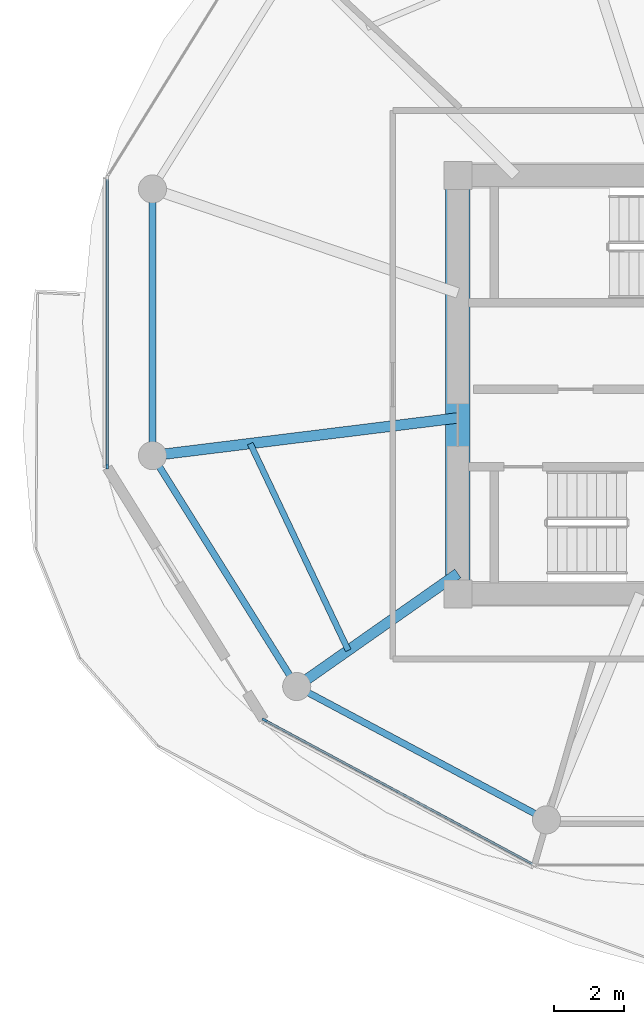
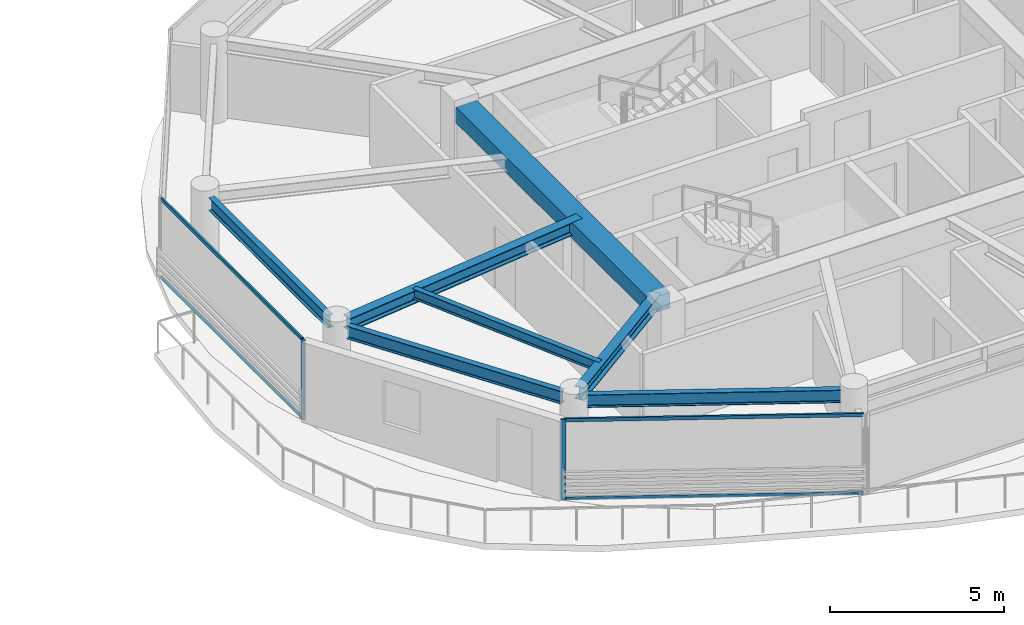
# One storey, part 6 of 21: 7 beams, 6 members, 2 elements without a shape of their own.
"""IFC4 building model written with IfcOpenShell, lengths in metres."""

from ifc_helpers import new_model, si_unit, direction, frame, origin, origin_2d, place, context, subcontext, project, spatial, rectangle, i_section, extrude, source, transform, mapped, material, layer, layer_set, material_profile, profile_set, type_object, type_shapes, element, aggregate, save


model = new_model("IFC4")

# Units and contexts
model_context = context("Model", 3, precision=1e-05, world=origin(), true_north=direction((0.0, 1.0)))
body_context = subcontext(model_context, "Body", "Model", "MODEL_VIEW")
ifc_project = project(units=[si_unit("LENGTHUNIT", "METRE"), si_unit("AREAUNIT", "SQUARE_METRE"), si_unit("VOLUMEUNIT", "CUBIC_METRE"), si_unit("PLANEANGLEUNIT", "RADIAN"), si_unit("MASSUNIT", "GRAM", prefix="KILO")], contexts=[model_context])

# Site, building, storey
site_placement = place(None, origin())
site = spatial("IfcSite", under=ifc_project, at=site_placement, CompositionType="ELEMENT")
building_placement = place(site_placement, origin())
building = spatial("IfcBuilding", under=site, at=building_placement, Name="Norrkilde Senior Care Towers", CompositionType="ELEMENT")
storey_placement = place(building_placement, frame((0.0, 0.0, 146.5)))
storey = spatial("IfcBuildingStorey", under=building, at=storey_placement, Name="L45", CompositionType="ELEMENT", Elevation=146.5)

# Beams
ifc_material_1 = material(Name="Concrete C60/75", Category="concrete")
ifc_material_profile_1 = material_profile(ifc_material_1, rectangle(XDim=0.699951171875, YDim=0.550048828125, at=origin_2d()), Name="RC BM 700x550")
ifc_profile_set_1 = profile_set([ifc_material_profile_1], Name="Concrete C60/75")
beam_type_1 = type_object("IfcBeamType", Name="Core Portal Coupling Beam 700x550", PredefinedType="USERDEFINED", material=ifc_profile_set_1)
shared_shape_1 = source(origin(), body_context, "Body", "SweptSolid", [
    extrude(rectangle(XDim=0.699951171875, YDim=0.550048828125, at=origin_2d()), origin(), (0.0, 0.0, 1.0), 11.14013671875),
])
type_shapes(beam_type_1, [shared_shape_1])
beam_1_placement = place(storey_placement, frame((20.35009765625, -5.570068359375, 2.534912109375), z_axis=(0.0, 1.0, 0.0), x_axis=(-1.0, 0.0, 0.0)))
element("IfcBeam", 1, at=beam_1_placement, inside=storey, type_object=beam_type_1, Name="L45 Core E W Coupling Girder", ObjectType="GIRDER", PredefinedType="USERDEFINED", context=body_context, shape_type="MappedRepresentation", body=[
    mapped(shared_shape_1, transform((0.0, 0.0, 0.0), x_axis=(1.0, 0.0, 0.0), y_axis=(0.0, 1.0, 0.0), z_axis=(0.0, 0.0, 1.0), scale=1.0)),
])
ifc_material_2 = material(Name="Steel S355", Category="steel")
ifc_material_profile_2 = material_profile(ifc_material_2, i_section(OverallWidth=0.18994140625, OverallDepth=0.449951171875, WebThickness=0.009521484375, FlangeThickness=0.0146484375, FilletRadius=0.02099609375, at=origin_2d()), Name="IPE 450")
ifc_profile_set_2 = profile_set([ifc_material_profile_2], Name="Steel S355")
beam_type_2 = type_object("IfcBeamType", Name="Perimeter Ring Spandrel Z3 IPE450", PredefinedType="SPANDREL", material=ifc_profile_set_2)
shared_shape_2 = source(origin(), body_context, "Body", "SweptSolid", [
    extrude(i_section(OverallWidth=0.18994140625, OverallDepth=0.449951171875, WebThickness=0.009521484375, FlangeThickness=0.0146484375, FilletRadius=0.02099609375, at=origin_2d()), origin(), (0.0, 0.0, 1.0), 6.86328125),
])
beam_2_placement = place(storey_placement, frame((11.6650390625, 5.20703125, 2.5849609375), z_axis=(0.0, -1.0, 0.0), x_axis=(1.0, 0.0, 0.0)))
element("IfcBeam", 2, at=beam_2_placement, inside=storey, type_object=beam_type_2, Name="L45 Drum E Perimeter Spandrel 06", PredefinedType="SPANDREL", context=body_context, shape_type="MappedRepresentation", body=[
    mapped(shared_shape_2, transform((0.0, 0.0, 0.0), x_axis=(1.0, 0.0, 0.0), y_axis=(0.0, 1.0, 0.0), z_axis=(0.0, 0.0, 1.0), scale=1.0)),
])
shared_shape_3 = source(origin(), body_context, "Body", "SweptSolid", [
    extrude(i_section(OverallWidth=0.18994140625, OverallDepth=0.449951171875, WebThickness=0.009521484375, FlangeThickness=0.0146484375, FilletRadius=0.02099609375, at=origin_2d()), origin(), (0.0, 0.0, 1.0), 7.023193359375),
])
beam_3_placement = place(storey_placement, frame((11.855712890625, -2.32177734375, 2.5849609375), z_axis=(0.529805197269, -0.848119362441, 0.0), x_axis=(0.848119362441, 0.529805197269, 0.0)))
element("IfcBeam", 3, at=beam_3_placement, inside=storey, type_object=beam_type_2, Name="L45 Drum E Perimeter Spandrel 07", PredefinedType="SPANDREL", context=body_context, shape_type="MappedRepresentation", body=[
    mapped(shared_shape_3, transform((0.0, 0.0, 0.0), x_axis=(1.0, 0.0, 0.0), y_axis=(0.0, 1.0, 0.0), z_axis=(0.0, 0.0, 1.0), scale=1.0)),
])
shared_shape_4 = source(origin(), body_context, "Body", "SweptSolid", [
    extrude(i_section(OverallWidth=0.18994140625, OverallDepth=0.449951171875, WebThickness=0.009521484375, FlangeThickness=0.0146484375, FilletRadius=0.02099609375, at=origin_2d()), origin(), (0.0, 0.0, 1.0), 7.333984375),
])
type_shapes(beam_type_2, [shared_shape_2, shared_shape_3, shared_shape_4])
beam_4_placement = place(storey_placement, frame((16.0849609375, -8.753173828125, 2.5849609375), z_axis=(0.882234038987, -0.470811109101, 0.0), x_axis=(0.470811109101, 0.882234038987, 0.0)))
element("IfcBeam", 4, at=beam_4_placement, inside=storey, type_object=beam_type_2, Name="L45 Drum E Perimeter Spandrel 08", PredefinedType="SPANDREL", context=body_context, shape_type="MappedRepresentation", body=[
    mapped(shared_shape_4, transform((0.0, 0.0, 0.0), x_axis=(1.0, 0.0, 0.0), y_axis=(0.0, 1.0, 0.0), z_axis=(0.0, 0.0, 1.0), scale=1.0)),
])
ifc_material_profile_3 = material_profile(ifc_material_2, i_section(OverallWidth=0.300048828125, OverallDepth=0.449951171875, WebThickness=0.013916015625, FlangeThickness=0.02587890625, FilletRadius=0.027099609375, at=origin_2d()), Name="HEB 450")
ifc_profile_set_3 = profile_set([ifc_material_profile_3], Name="Steel S355")
beam_type_3 = type_object("IfcBeamType", Name="Radial Floor Beam Z3 HEB450", PredefinedType="BEAM", material=ifc_profile_set_3)
shared_shape_5 = source(origin(), body_context, "Body", "SweptSolid", [
    extrude(i_section(OverallWidth=0.300048828125, OverallDepth=0.449951171875, WebThickness=0.013916015625, FlangeThickness=0.02587890625, FilletRadius=0.027099609375, at=origin_2d()), origin(), (0.0, 0.0, 1.0), 5.23828125),
])
beam_5_placement = place(storey_placement, frame((20.35009765625, -5.3681640625, 2.5849609375), z_axis=(-0.818592061291, -0.574375345215, 0.0), x_axis=(0.574375345215, -0.818592061291, 0.0)))
element("IfcBeam", 5, at=beam_5_placement, inside=storey, type_object=beam_type_3, Name="L45 Drum E Radial Floor Beam 08", PredefinedType="BEAM", context=body_context, shape_type="MappedRepresentation", body=[
    mapped(shared_shape_5, transform((0.0, 0.0, 0.0), x_axis=(1.0, 0.0, 0.0), y_axis=(0.0, 1.0, 0.0), z_axis=(0.0, 0.0, 1.0), scale=1.0)),
])
shared_shape_6 = source(origin(), body_context, "Body", "SweptSolid", [
    extrude(i_section(OverallWidth=0.300048828125, OverallDepth=0.449951171875, WebThickness=0.013916015625, FlangeThickness=0.02587890625, FilletRadius=0.027099609375, at=origin_2d()), origin(), (0.0, 0.0, 1.0), 8.390869140625),
])
type_shapes(beam_type_3, [shared_shape_5, shared_shape_6])
beam_6_placement = place(storey_placement, frame((20.35009765625, -0.9443359375, 2.5849609375), z_axis=(-0.99246916403, -0.122494728249, 0.0), x_axis=(0.122494728249, -0.99246916403, 0.0)))
element("IfcBeam", 6, at=beam_6_placement, inside=storey, type_object=beam_type_3, Name="L45 Drum E Radial Floor Beam 07", PredefinedType="BEAM", context=body_context, shape_type="MappedRepresentation", body=[
    mapped(shared_shape_6, transform((0.0, 0.0, 0.0), x_axis=(1.0, 0.0, 0.0), y_axis=(0.0, 1.0, 0.0), z_axis=(0.0, 0.0, 1.0), scale=1.0)),
])
ifc_material_profile_4 = material_profile(ifc_material_2, i_section(OverallWidth=0.169921875, OverallDepth=0.360107421875, WebThickness=0.008056640625, FlangeThickness=0.0126953125, FilletRadius=0.01806640625, at=origin_2d()), Name="IPE 360")
ifc_profile_set_4 = profile_set([ifc_material_profile_4], Name="Steel S355")
beam_type_4 = type_object("IfcBeamType", Name="Secondary Floor Joist IPE360", PredefinedType="JOIST", material=ifc_profile_set_4)
shared_shape_7 = source(origin(), body_context, "Body", "SweptSolid", [
    extrude(i_section(OverallWidth=0.169921875, OverallDepth=0.360107421875, WebThickness=0.008056640625, FlangeThickness=0.0126953125, FilletRadius=0.01806640625, at=origin_2d()), origin(), (0.0, 0.0, 1.0), 6.50927734375),
])
type_shapes(beam_type_4, [shared_shape_7])
beam_7_placement = place(storey_placement, frame((14.4443359375, -1.67333984375, 2.6298828125), z_axis=(0.428544169129, -0.90352083269, 0.0), x_axis=(0.90352083269, 0.428544169129, 0.0)))
element("IfcBeam", 7, at=beam_7_placement, inside=storey, type_object=beam_type_4, Name="L45 Drum E Secondary Floor Joist 3", PredefinedType="JOIST", context=body_context, shape_type="MappedRepresentation", body=[
    mapped(shared_shape_7, transform((0.0, 0.0, 0.0), x_axis=(1.0, 0.0, 0.0), y_axis=(0.0, 1.0, 0.0), z_axis=(0.0, 0.0, 1.0), scale=1.0)),
])

# Curtain wall, member
ifc_material_3 = material(Name="Triple Low-E Insulated Glazing", Category="glass")
ifc_layer = layer(ifc_material_3, 0.18994140625)
ifc_layer_set = layer_set([ifc_layer], Name="Triple Low-E Insulated Glazing")
curtain_wall_type = type_object("IfcCurtainWallType", Name="CW4 Zone 3 Senior Residence Curtain Wall", PredefinedType="NOTDEFINED", material=ifc_layer_set)
curtain_wall_1_placement = place(storey_placement, origin())
curtain_wall_1 = element("IfcCurtainWall", 8, at=curtain_wall_1_placement, inside=storey, type_object=curtain_wall_type, Name="L45 Drum E Curtain Wall 05", PredefinedType="NOTDEFINED")
ifc_material_4 = material(Name="Anodised Aluminium", Category="aluminium")
ifc_material_profile_5 = material_profile(ifc_material_4, rectangle(XDim=0.06494140625, YDim=0.14990234375, at=origin_2d()), Name="ALU MULL 65x150")
ifc_profile_set_5 = profile_set([ifc_material_profile_5], Name="Anodised Aluminium")
member_type_1 = type_object("IfcMemberType", Name="Curtain Wall Mullion Z3-Z4 65x150", PredefinedType="MULLION", material=ifc_profile_set_5)
shared_shape_8 = source(origin(), body_context, "Body", "SweptSolid", [
    extrude(rectangle(XDim=0.06494140625, YDim=0.14990234375, at=origin_2d()), origin(), (0.0, 0.0, 1.0), 2.81005859375),
])
type_shapes(member_type_1, [shared_shape_8])
member_1_placement = place(storey_placement, frame((10.38037109375, -2.328125, 0.0), z_axis=(0.0, 0.0, 1.0), x_axis=(-1.0, 0.0, 0.0)))
member_1 = element("IfcMember", 9, at=member_1_placement, type_object=member_type_1, Name="CW-4 mullion 1", PredefinedType="MULLION", context=body_context, shape_type="MappedRepresentation", body=[
    mapped(shared_shape_8, transform((0.0, 0.0, 0.0), x_axis=(1.0, 0.0, 0.0), y_axis=(0.0, 1.0, 0.0), z_axis=(0.0, 0.0, 1.0), scale=1.0)),
])

# Curtain wall, members
curtain_wall_2_placement = place(storey_placement, origin())
curtain_wall_2 = element("IfcCurtainWall", 10, at=curtain_wall_2_placement, inside=storey, type_object=curtain_wall_type, Name="L45 Drum E Curtain Wall 07", PredefinedType="NOTDEFINED")
member_2_placement = place(storey_placement, frame((14.85546875, -9.53955078125, 0.0), z_axis=(0.0, 0.0, 1.0), x_axis=(-0.47311715104, -0.880999524059, 0.0)))
member_2 = element("IfcMember", 11, at=member_2_placement, type_object=member_type_1, Name="CW-4 mullion 2", PredefinedType="MULLION", context=body_context, shape_type="MappedRepresentation", body=[
    mapped(shared_shape_8, transform((0.0, 0.0, 0.0), x_axis=(1.0, 0.0, 0.0), y_axis=(0.0, 1.0, 0.0), z_axis=(0.0, 0.0, 1.0), scale=1.0)),
])
ifc_material_profile_6 = material_profile(ifc_material_4, rectangle(XDim=0.06005859375, YDim=0.1201171875, at=origin_2d()), Name="ALU TRAN 60x120")
ifc_profile_set_6 = profile_set([ifc_material_profile_6], Name="Anodised Aluminium")
member_type_2 = type_object("IfcMemberType", Name="Curtain Wall Transom Typical 60x120", PredefinedType="USERDEFINED", material=ifc_profile_set_6)
shared_shape_9 = source(origin(), body_context, "Body", "SweptSolid", [
    extrude(rectangle(XDim=0.06005859375, YDim=0.1201171875, at=origin_2d()), origin(), (0.0, 0.0, 1.0), 8.61181640625),
])
member_3_placement = place(storey_placement, frame((22.47119140625, -13.62939453125, 0.030029296875), z_axis=(-0.880993991641, 0.473127452906, 0.0), x_axis=(-0.473127452906, -0.880993991641, 0.0)))
member_3 = element("IfcMember", 12, at=member_3_placement, type_object=member_type_2, Name="CW-4 transom 1.1", ObjectType="TRANSOM", PredefinedType="USERDEFINED", context=body_context, shape_type="MappedRepresentation", body=[
    mapped(shared_shape_9, transform((0.0, 0.0, 0.0), x_axis=(1.0, 0.0, 0.0), y_axis=(0.0, 1.0, 0.0), z_axis=(0.0, 0.0, 1.0), scale=1.0)),
])
member_4_placement = place(storey_placement, frame((22.47119140625, -13.62939453125, 2.780029296875), z_axis=(-0.880993991641, 0.473127452906, 0.0), x_axis=(-0.473127452906, -0.880993991641, 0.0)))
member_4 = element("IfcMember", 13, at=member_4_placement, type_object=member_type_2, Name="CW-4 transom 1.2", ObjectType="TRANSOM", PredefinedType="USERDEFINED", context=body_context, shape_type="MappedRepresentation", body=[
    mapped(shared_shape_9, transform((0.0, 0.0, 0.0), x_axis=(1.0, 0.0, 0.0), y_axis=(0.0, 1.0, 0.0), z_axis=(0.0, 0.0, 1.0), scale=1.0)),
])
aggregate(curtain_wall_2, [member_2, member_3, member_4])

# Member
shared_shape_10 = source(origin(), body_context, "Body", "SweptSolid", [
    extrude(rectangle(XDim=0.06005859375, YDim=0.1201171875, at=origin_2d()), origin(), (0.0, 0.0, 1.0), 8.141845703125),
])
type_shapes(member_type_2, [shared_shape_9, shared_shape_10])
member_5_placement = place(storey_placement, frame((10.38037109375, -2.295654296875, 0.030029296875), z_axis=(0.0, 1.0, 0.0), x_axis=(-1.0, 0.0, 0.0)))
member_5 = element("IfcMember", 14, at=member_5_placement, type_object=member_type_2, Name="CW-4 transom 1.1", ObjectType="TRANSOM", PredefinedType="USERDEFINED", context=body_context, shape_type="MappedRepresentation", body=[
    mapped(shared_shape_10, transform((0.0, 0.0, 0.0), x_axis=(1.0, 0.0, 0.0), y_axis=(0.0, 1.0, 0.0), z_axis=(0.0, 0.0, 1.0), scale=1.0)),
])

member_6_placement = place(storey_placement, frame((10.38037109375, -2.295654296875, 2.780029296875), z_axis=(0.0, 1.0, 0.0), x_axis=(-1.0, 0.0, 0.0)))
member_6 = element("IfcMember", 15, at=member_6_placement, type_object=member_type_2, Name="CW-4 transom 1.2", ObjectType="TRANSOM", PredefinedType="USERDEFINED", context=body_context, shape_type="MappedRepresentation", body=[
    mapped(shared_shape_10, transform((0.0, 0.0, 0.0), x_axis=(1.0, 0.0, 0.0), y_axis=(0.0, 1.0, 0.0), z_axis=(0.0, 0.0, 1.0), scale=1.0)),
])

aggregate(curtain_wall_1, [member_1, member_5, member_6])

save(model, "model.ifc")
